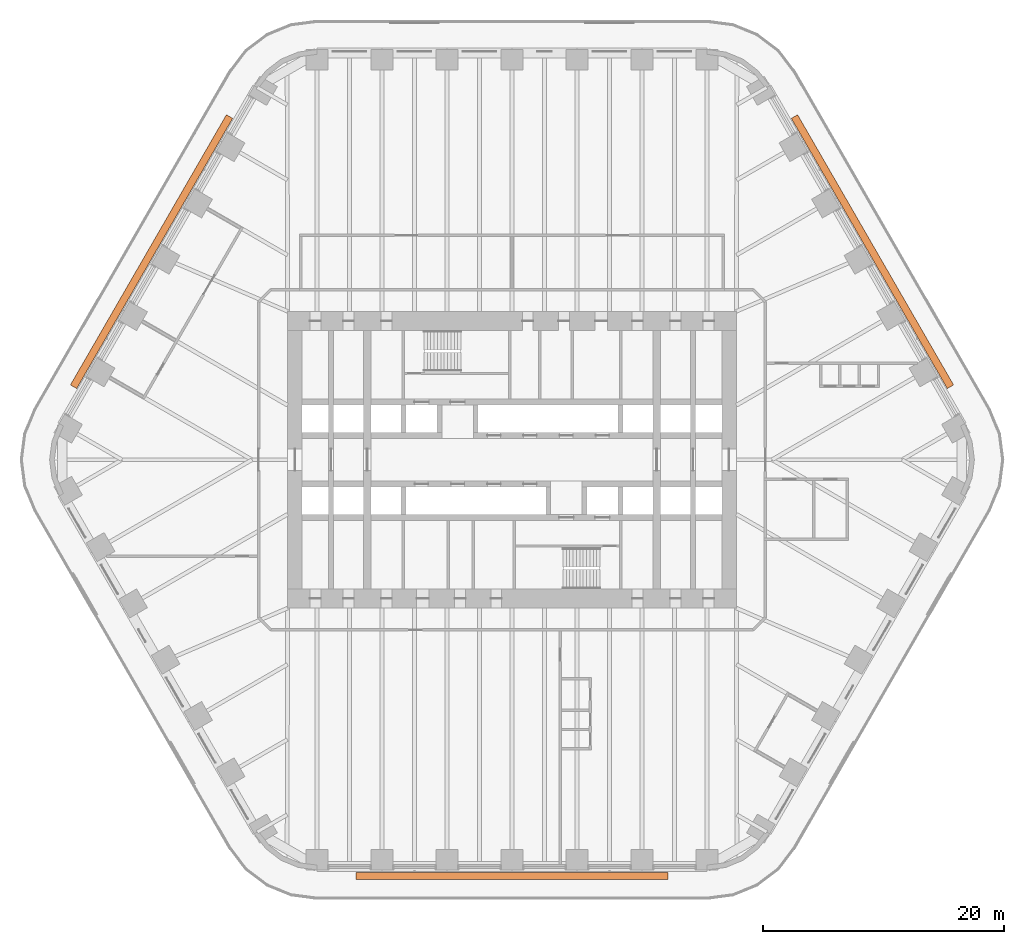
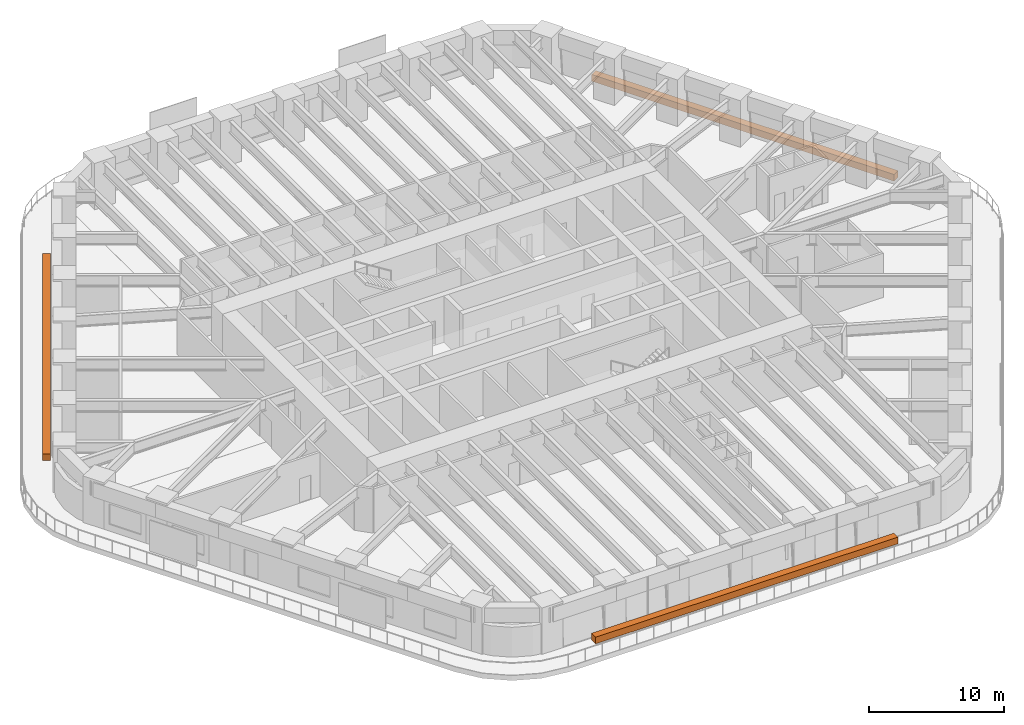
# One storey, part 24 of 24: 3 proxies.
"""IFC4 building model written with IfcOpenShell, lengths in metres."""

from ifc_helpers import new_model, si_unit, direction, frame, origin, origin_2d, place, context, subcontext, project, spatial, rectangle, extrude, material, element, save


model = new_model("IFC4")

# Units and contexts
model_context = context("Model", 3, precision=1e-05, world=origin(), true_north=direction((0.0, 1.0)))
body_context = subcontext(model_context, "Body", "Model", "MODEL_VIEW")
ifc_project = project(units=[si_unit("LENGTHUNIT", "METRE"), si_unit("AREAUNIT", "SQUARE_METRE"), si_unit("VOLUMEUNIT", "CUBIC_METRE"), si_unit("PLANEANGLEUNIT", "RADIAN"), si_unit("MASSUNIT", "GRAM", prefix="KILO")], contexts=[model_context])

# Site, building, storey
site_placement = place(None, origin())
site = spatial("IfcSite", under=ifc_project, at=site_placement, CompositionType="ELEMENT")
building_placement = place(site_placement, origin())
building = spatial("IfcBuilding", under=site, at=building_placement, Name="Tarfa Lantern Tower", CompositionType="ELEMENT")
storey_placement = place(building_placement, frame((0.0, 0.0, 90.699951171875)))
storey = spatial("IfcBuildingStorey", under=building, at=storey_placement, Name="L20", CompositionType="ELEMENT", Elevation=90.699951171875)

# Proxies
ifc_material = material(Name="Planting bed")
for number, where, z_axis, x_axis, name in (
    (1, (29.8779296875, 17.25, 0.0), (0.0, 0.0, 1.0), (-0.5, 0.866025403784, 0.0), "Balcony planter"),
    (2, (-29.8779296875, 17.25, 0.0), (0.0, 0.0, 1.0), (-0.5, -0.866025403784, 0.0), "Balcony planter"),
    (3, (0.0, -34.5, 0.0), (0.0, 0.0, 1.0), (1.0, 0.0, 0.0), "Balcony planter"),
):
    element("IfcBuildingElementProxy", number, at=place(storey_placement, frame(where, z_axis=z_axis, x_axis=x_axis)), inside=storey, material=ifc_material, Name=name, ObjectType="PLANTER", PredefinedType="USERDEFINED", context=body_context, shape_type="SweptSolid", body=[
        extrude(rectangle(XDim=25.865234375, YDim=0.60009765625, at=origin_2d()), origin(), (0.0, 0.0, 1.0), 0.60009765625),
    ])

save(model, "model.ifc")
